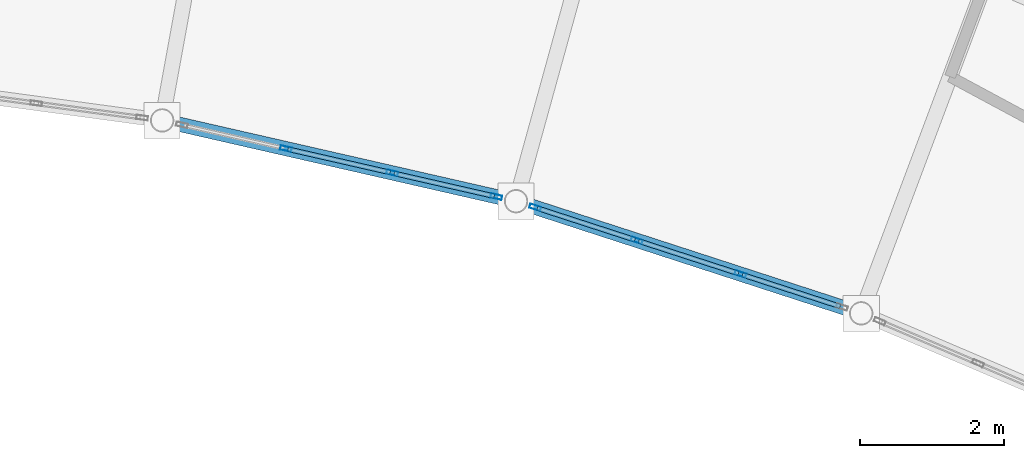
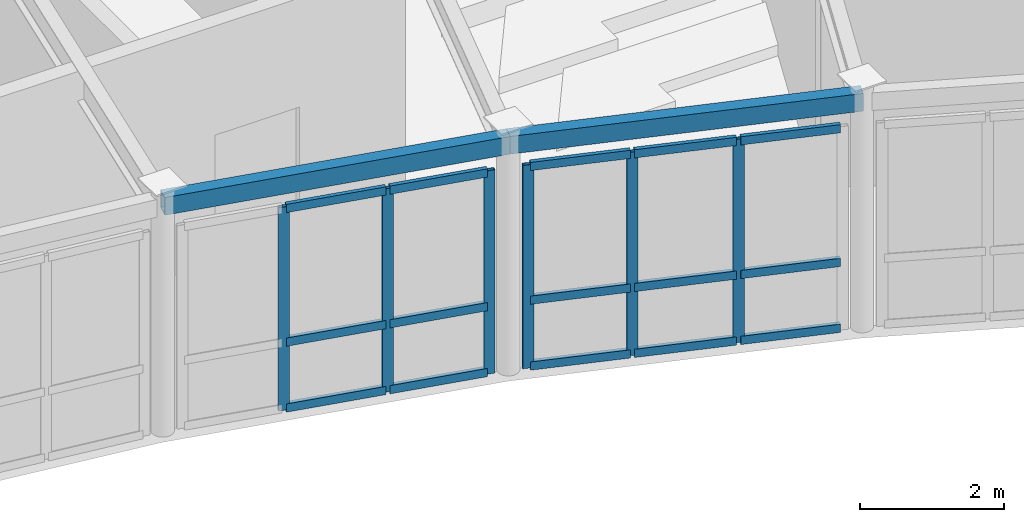
# One storey, part 25 of 54: 21 members, 2 beams, 2 elements without a shape of their own.
"""IFC4 building model written with IfcOpenShell, lengths in metres."""

from ifc_helpers import new_model, si_unit, direction, frame, origin, origin_2d, place, context, subcontext, project, spatial, hollow_rectangle, extrude, material, layer, layer_set, material_profile, profile_set, type_object, element, aggregate, save


model = new_model("IFC4")

# Units and contexts
model_context = context("Model", 3, precision=1e-05, world=origin(), true_north=direction((0.0, 1.0)))
body_context = subcontext(model_context, "Body", "Model", "MODEL_VIEW")
ifc_project = project(units=[si_unit("LENGTHUNIT", "METRE"), si_unit("AREAUNIT", "SQUARE_METRE"), si_unit("VOLUMEUNIT", "CUBIC_METRE"), si_unit("PLANEANGLEUNIT", "RADIAN"), si_unit("MASSUNIT", "GRAM", prefix="KILO")], contexts=[model_context])

# Site, building, storey
site_placement = place(None, origin())
site = spatial("IfcSite", under=ifc_project, at=site_placement, CompositionType="ELEMENT")
building_placement = place(site_placement, origin())
building = spatial("IfcBuilding", under=site, at=building_placement, Name="Selat Folded Stagehouse", CompositionType="ELEMENT")
storey_placement = place(building_placement, frame((0.0, 0.0, 15.0)))
storey = spatial("IfcBuildingStorey", under=building, at=storey_placement, Name="L03", CompositionType="ELEMENT", Elevation=15.0)

# Curtain wall, members
ifc_material_1 = material(Name="Aluminium 6063-T6", Category="aluminium")
ifc_layer = layer(ifc_material_1, 0.18994140625)
ifc_layer_set = layer_set([ifc_layer], Name="Aluminium 6063-T6")
curtain_wall_type = type_object("IfcCurtainWallType", Name="CW-REH-ARC", PredefinedType="NOTDEFINED", material=ifc_layer_set)
curtain_wall_1_placement = place(storey_placement, origin())
curtain_wall_1 = element("IfcCurtainWall", 1, at=curtain_wall_1_placement, inside=storey, type_object=curtain_wall_type, Name="L03 curtain wall CW-REH-L03-09", PredefinedType="NOTDEFINED")
ifc_material_profile_1 = material_profile(ifc_material_1, hollow_rectangle(XDim=0.06005859375, YDim=0.159912109375, WallThickness=0.00390625, at=origin_2d()), Name="ALU 160x60x4.0")
ifc_profile_set_1 = profile_set([ifc_material_profile_1], Name="Aluminium 6063-T6")
member_type_1 = type_object("IfcMemberType", Name="CWM-MUL-160x60", PredefinedType="MULLION", material=ifc_profile_set_1)
member_1_placement = place(storey_placement, frame((107.025146484375, 92.044189453125, 0.0), z_axis=(0.0, 0.0, 1.0), x_axis=(-0.222542761079, -0.974922930026, 0.0)))
member_1 = element("IfcMember", 2, at=member_1_placement, type_object=member_type_1, Name="CW-06 mullion 1", PredefinedType="MULLION", context=body_context, shape_type="SweptSolid", body=[
    extrude(hollow_rectangle(XDim=0.06005859375, YDim=0.159912109375, WallThickness=0.00390625, at=origin_2d()), origin(), (0.0, 0.0, 1.0), 3.449951171875),
])
member_2_placement = place(storey_placement, frame((105.583984375, 92.373046875, 0.0), z_axis=(0.0, 0.0, 1.0), x_axis=(-0.222542761079, -0.974922930026, 0.0)))
member_2 = element("IfcMember", 3, at=member_2_placement, type_object=member_type_1, Name="CW-06 mullion 2", PredefinedType="MULLION", context=body_context, shape_type="SweptSolid", body=[
    extrude(hollow_rectangle(XDim=0.06005859375, YDim=0.159912109375, WallThickness=0.00390625, at=origin_2d()), origin(), (0.0, 0.0, 1.0), 3.449951171875),
])
member_3_placement = place(storey_placement, frame((104.11328125, 92.708740234375, 0.0), z_axis=(0.0, 0.0, 1.0), x_axis=(-0.222542761079, -0.974922930026, 0.0)))
member_3 = element("IfcMember", 4, at=member_3_placement, type_object=member_type_1, Name="CW-06 mullion 3", PredefinedType="MULLION", context=body_context, shape_type="SweptSolid", body=[
    extrude(hollow_rectangle(XDim=0.06005859375, YDim=0.159912109375, WallThickness=0.00390625, at=origin_2d()), origin(), (0.0, 0.0, 1.0), 3.449951171875),
])

curtain_wall_2_placement = place(storey_placement, origin())
curtain_wall_2 = element("IfcCurtainWall", 5, at=curtain_wall_2_placement, inside=storey, type_object=curtain_wall_type, Name="L03 curtain wall CW-REH-L03-10", PredefinedType="NOTDEFINED")
member_4_placement = place(storey_placement, frame((110.40478515625, 90.972412109375, 0.0), z_axis=(0.0, 0.0, 1.0), x_axis=(-0.308991620714, -0.951064760323, 0.0)))
member_4 = element("IfcMember", 6, at=member_4_placement, type_object=member_type_1, Name="CW-06 mullion 2", PredefinedType="MULLION", context=body_context, shape_type="SweptSolid", body=[
    extrude(hollow_rectangle(XDim=0.06005859375, YDim=0.159912109375, WallThickness=0.00390625, at=origin_2d()), origin(), (0.0, 0.0, 1.0), 3.449951171875),
])
member_5_placement = place(storey_placement, frame((108.97021484375, 91.4384765625, 0.0), z_axis=(0.0, 0.0, 1.0), x_axis=(-0.308991620714, -0.951064760323, 0.0)))
member_5 = element("IfcMember", 7, at=member_5_placement, type_object=member_type_1, Name="CW-06 mullion 3", PredefinedType="MULLION", context=body_context, shape_type="SweptSolid", body=[
    extrude(hollow_rectangle(XDim=0.06005859375, YDim=0.159912109375, WallThickness=0.00390625, at=origin_2d()), origin(), (0.0, 0.0, 1.0), 3.449951171875),
])
member_6_placement = place(storey_placement, frame((107.564453125, 91.895263671875, 0.0), z_axis=(0.0, 0.0, 1.0), x_axis=(-0.308991620714, -0.951064760323, 0.0)))
member_6 = element("IfcMember", 8, at=member_6_placement, type_object=member_type_1, Name="CW-06 mullion 4", PredefinedType="MULLION", context=body_context, shape_type="SweptSolid", body=[
    extrude(hollow_rectangle(XDim=0.06005859375, YDim=0.159912109375, WallThickness=0.00390625, at=origin_2d()), origin(), (0.0, 0.0, 1.0), 3.449951171875),
])

# Member
ifc_material_profile_2 = material_profile(ifc_material_1, hollow_rectangle(XDim=0.06494140625, YDim=0.139892578125, WallThickness=0.00390625, at=origin_2d()), Name="ALU 140x65x4.0")
ifc_profile_set_2 = profile_set([ifc_material_profile_2], Name="Aluminium 6063-T6")
member_type_2 = type_object("IfcMemberType", Name="CWM-TRN-140x65", PredefinedType="USERDEFINED", material=ifc_profile_set_2)
member_7_placement = place(storey_placement, frame((106.995849609375, 92.05078125, 0.032470703125), z_axis=(-0.974919361771, 0.222558392438, 0.0), x_axis=(-0.222558392438, -0.974919361771, 0.0)))
member_7 = element("IfcMember", 9, at=member_7_placement, type_object=member_type_2, Name="CW-06 transom 1.1", ObjectType="TRANSOM", PredefinedType="USERDEFINED", context=body_context, shape_type="SweptSolid", body=[
    extrude(hollow_rectangle(XDim=0.06494140625, YDim=0.139892578125, WallThickness=0.00390625, at=origin_2d()), origin(), (0.0, 0.0, 1.0), 1.41845703125),
])

member_8_placement = place(storey_placement, frame((106.995849609375, 92.05078125, 1.14990234375), z_axis=(-0.974919361771, 0.222558392438, 0.0), x_axis=(-0.222558392438, -0.974919361771, 0.0)))
member_8 = element("IfcMember", 10, at=member_8_placement, type_object=member_type_2, Name="CW-06 transom 1.2", ObjectType="TRANSOM", PredefinedType="USERDEFINED", context=body_context, shape_type="SweptSolid", body=[
    extrude(hollow_rectangle(XDim=0.06494140625, YDim=0.139892578125, WallThickness=0.00390625, at=origin_2d()), origin(), (0.0, 0.0, 1.0), 1.41845703125),
])

member_9_placement = place(storey_placement, frame((106.995849609375, 92.05078125, 3.41748046875), z_axis=(-0.974919361771, 0.222558392438, 0.0), x_axis=(-0.222558392438, -0.974919361771, 0.0)))
member_9 = element("IfcMember", 11, at=member_9_placement, type_object=member_type_2, Name="CW-06 transom 1.3", ObjectType="TRANSOM", PredefinedType="USERDEFINED", context=body_context, shape_type="SweptSolid", body=[
    extrude(hollow_rectangle(XDim=0.06494140625, YDim=0.139892578125, WallThickness=0.00390625, at=origin_2d()), origin(), (0.0, 0.0, 1.0), 1.41845703125),
])

member_10_placement = place(storey_placement, frame((105.5546875, 92.3798828125, 0.032470703125), z_axis=(-0.974933771932, 0.222495259155, 0.0), x_axis=(-0.222495259155, -0.974933771932, 0.0)))
member_10 = element("IfcMember", 12, at=member_10_placement, type_object=member_type_2, Name="CW-06 transom 2.1", ObjectType="TRANSOM", PredefinedType="USERDEFINED", context=body_context, shape_type="SweptSolid", body=[
    extrude(hollow_rectangle(XDim=0.06494140625, YDim=0.139892578125, WallThickness=0.00390625, at=origin_2d()), origin(), (0.0, 0.0, 1.0), 1.448486328125),
])

member_11_placement = place(storey_placement, frame((105.5546875, 92.3798828125, 1.14990234375), z_axis=(-0.974933771932, 0.222495259155, 0.0), x_axis=(-0.222495259155, -0.974933771932, 0.0)))
member_11 = element("IfcMember", 13, at=member_11_placement, type_object=member_type_2, Name="CW-06 transom 2.2", ObjectType="TRANSOM", PredefinedType="USERDEFINED", context=body_context, shape_type="SweptSolid", body=[
    extrude(hollow_rectangle(XDim=0.06494140625, YDim=0.139892578125, WallThickness=0.00390625, at=origin_2d()), origin(), (0.0, 0.0, 1.0), 1.448486328125),
])

member_12_placement = place(storey_placement, frame((105.5546875, 92.3798828125, 3.41748046875), z_axis=(-0.974933771932, 0.222495259155, 0.0), x_axis=(-0.222495259155, -0.974933771932, 0.0)))
member_12 = element("IfcMember", 14, at=member_12_placement, type_object=member_type_2, Name="CW-06 transom 2.3", ObjectType="TRANSOM", PredefinedType="USERDEFINED", context=body_context, shape_type="SweptSolid", body=[
    extrude(hollow_rectangle(XDim=0.06494140625, YDim=0.139892578125, WallThickness=0.00390625, at=origin_2d()), origin(), (0.0, 0.0, 1.0), 1.448486328125),
])

aggregate(curtain_wall_1, [member_1, member_2, member_3, member_7, member_8, member_9, member_10, member_11, member_12])

member_13_placement = place(storey_placement, frame((111.7822265625, 90.525146484375, 0.032470703125), z_axis=(-0.951065688988, 0.308988762305, 0.0), x_axis=(-0.308988762305, -0.951065688988, 0.0)))
member_13 = element("IfcMember", 15, at=member_13_placement, type_object=member_type_2, Name="CW-06 transom 1.1", ObjectType="TRANSOM", PredefinedType="USERDEFINED", context=body_context, shape_type="SweptSolid", body=[
    extrude(hollow_rectangle(XDim=0.06494140625, YDim=0.139892578125, WallThickness=0.00390625, at=origin_2d()), origin(), (0.0, 0.0, 1.0), 1.418212890625),
])

member_14_placement = place(storey_placement, frame((111.7822265625, 90.525146484375, 1.14990234375), z_axis=(-0.951065688988, 0.308988762305, 0.0), x_axis=(-0.308988762305, -0.951065688988, 0.0)))
member_14 = element("IfcMember", 16, at=member_14_placement, type_object=member_type_2, Name="CW-06 transom 1.2", ObjectType="TRANSOM", PredefinedType="USERDEFINED", context=body_context, shape_type="SweptSolid", body=[
    extrude(hollow_rectangle(XDim=0.06494140625, YDim=0.139892578125, WallThickness=0.00390625, at=origin_2d()), origin(), (0.0, 0.0, 1.0), 1.418212890625),
])

member_15_placement = place(storey_placement, frame((111.7822265625, 90.525146484375, 3.41748046875), z_axis=(-0.951065688988, 0.308988762305, 0.0), x_axis=(-0.308988762305, -0.951065688988, 0.0)))
member_15 = element("IfcMember", 17, at=member_15_placement, type_object=member_type_2, Name="CW-06 transom 1.3", ObjectType="TRANSOM", PredefinedType="USERDEFINED", context=body_context, shape_type="SweptSolid", body=[
    extrude(hollow_rectangle(XDim=0.06494140625, YDim=0.139892578125, WallThickness=0.00390625, at=origin_2d()), origin(), (0.0, 0.0, 1.0), 1.418212890625),
])

member_16_placement = place(storey_placement, frame((110.376220703125, 90.981689453125, 0.032470703125), z_axis=(-0.951066271776, 0.30898696848, 0.0), x_axis=(-0.30898696848, -0.951066271776, 0.0)))
member_16 = element("IfcMember", 18, at=member_16_placement, type_object=member_type_2, Name="CW-06 transom 2.1", ObjectType="TRANSOM", PredefinedType="USERDEFINED", context=body_context, shape_type="SweptSolid", body=[
    extrude(hollow_rectangle(XDim=0.06494140625, YDim=0.139892578125, WallThickness=0.00390625, at=origin_2d()), origin(), (0.0, 0.0, 1.0), 1.4482421875),
])

member_17_placement = place(storey_placement, frame((110.376220703125, 90.981689453125, 1.14990234375), z_axis=(-0.951066271776, 0.30898696848, 0.0), x_axis=(-0.30898696848, -0.951066271776, 0.0)))
member_17 = element("IfcMember", 19, at=member_17_placement, type_object=member_type_2, Name="CW-06 transom 2.2", ObjectType="TRANSOM", PredefinedType="USERDEFINED", context=body_context, shape_type="SweptSolid", body=[
    extrude(hollow_rectangle(XDim=0.06494140625, YDim=0.139892578125, WallThickness=0.00390625, at=origin_2d()), origin(), (0.0, 0.0, 1.0), 1.4482421875),
])

member_18_placement = place(storey_placement, frame((110.376220703125, 90.981689453125, 3.41748046875), z_axis=(-0.951066271776, 0.30898696848, 0.0), x_axis=(-0.30898696848, -0.951066271776, 0.0)))
member_18 = element("IfcMember", 20, at=member_18_placement, type_object=member_type_2, Name="CW-06 transom 2.3", ObjectType="TRANSOM", PredefinedType="USERDEFINED", context=body_context, shape_type="SweptSolid", body=[
    extrude(hollow_rectangle(XDim=0.06494140625, YDim=0.139892578125, WallThickness=0.00390625, at=origin_2d()), origin(), (0.0, 0.0, 1.0), 1.4482421875),
])

member_19_placement = place(storey_placement, frame((108.94189453125, 91.44775390625, 0.032470703125), z_axis=(-0.951065688988, 0.308988762305, 0.0), x_axis=(-0.308988762305, -0.951065688988, 0.0)))
member_19 = element("IfcMember", 21, at=member_19_placement, type_object=member_type_2, Name="CW-06 transom 3.1", ObjectType="TRANSOM", PredefinedType="USERDEFINED", context=body_context, shape_type="SweptSolid", body=[
    extrude(hollow_rectangle(XDim=0.06494140625, YDim=0.139892578125, WallThickness=0.00390625, at=origin_2d()), origin(), (0.0, 0.0, 1.0), 1.418212890625),
])

member_20_placement = place(storey_placement, frame((108.94189453125, 91.44775390625, 1.14990234375), z_axis=(-0.951065688988, 0.308988762305, 0.0), x_axis=(-0.308988762305, -0.951065688988, 0.0)))
member_20 = element("IfcMember", 22, at=member_20_placement, type_object=member_type_2, Name="CW-06 transom 3.2", ObjectType="TRANSOM", PredefinedType="USERDEFINED", context=body_context, shape_type="SweptSolid", body=[
    extrude(hollow_rectangle(XDim=0.06494140625, YDim=0.139892578125, WallThickness=0.00390625, at=origin_2d()), origin(), (0.0, 0.0, 1.0), 1.418212890625),
])

member_21_placement = place(storey_placement, frame((108.94189453125, 91.44775390625, 3.41748046875), z_axis=(-0.951065688988, 0.308988762305, 0.0), x_axis=(-0.308988762305, -0.951065688988, 0.0)))
member_21 = element("IfcMember", 23, at=member_21_placement, type_object=member_type_2, Name="CW-06 transom 3.3", ObjectType="TRANSOM", PredefinedType="USERDEFINED", context=body_context, shape_type="SweptSolid", body=[
    extrude(hollow_rectangle(XDim=0.06494140625, YDim=0.139892578125, WallThickness=0.00390625, at=origin_2d()), origin(), (0.0, 0.0, 1.0), 1.418212890625),
])

aggregate(curtain_wall_2, [member_4, member_5, member_6, member_13, member_14, member_15, member_16, member_17, member_18, member_19, member_20, member_21])

# Beams
ifc_material_2 = material(Name="Steel S355", Category="steel")
ifc_material_profile_3 = material_profile(ifc_material_2, hollow_rectangle(XDim=0.199951171875, YDim=0.300048828125, WallThickness=0.012451171875, at=origin_2d()), Name="RHS 300x200x12.5")
ifc_profile_set_3 = profile_set([ifc_material_profile_3], Name="Steel S355")
beam_type = type_object("IfcBeamType", Name="SPD-RHS-300x200", PredefinedType="SPANDREL", material=ifc_profile_set_3)
beam_1_placement = place(storey_placement, frame((102.399169921875, 93.10009765625, 3.867919921875), z_axis=(0.974927211846, -0.222524002305, 0.0), x_axis=(0.222524002305, 0.974927211846, 0.0)))
element("IfcBeam", 24, at=beam_1_placement, inside=storey, type_object=beam_type, Name="L03 inner curved rehearsal spandrel 10", PredefinedType="SPANDREL", context=body_context, shape_type="SweptSolid", body=[
    extrude(hollow_rectangle(XDim=0.199951171875, YDim=0.300048828125, WallThickness=0.012451171875, at=origin_2d()), origin(), (0.0, 0.0, 1.0), 5.02490234375),
])
beam_2_placement = place(storey_placement, frame((107.298095703125, 91.98193359375, 3.867919921875), z_axis=(0.951056204058, -0.309017955339, 0.0), x_axis=(0.309017955339, 0.951056204058, 0.0)))
element("IfcBeam", 25, at=beam_2_placement, inside=storey, type_object=beam_type, Name="L03 inner curved rehearsal spandrel 11", PredefinedType="SPANDREL", context=body_context, shape_type="SweptSolid", body=[
    extrude(hollow_rectangle(XDim=0.199951171875, YDim=0.300048828125, WallThickness=0.012451171875, at=origin_2d()), origin(), (0.0, 0.0, 1.0), 5.024658203125),
])

save(model, "model.ifc")
